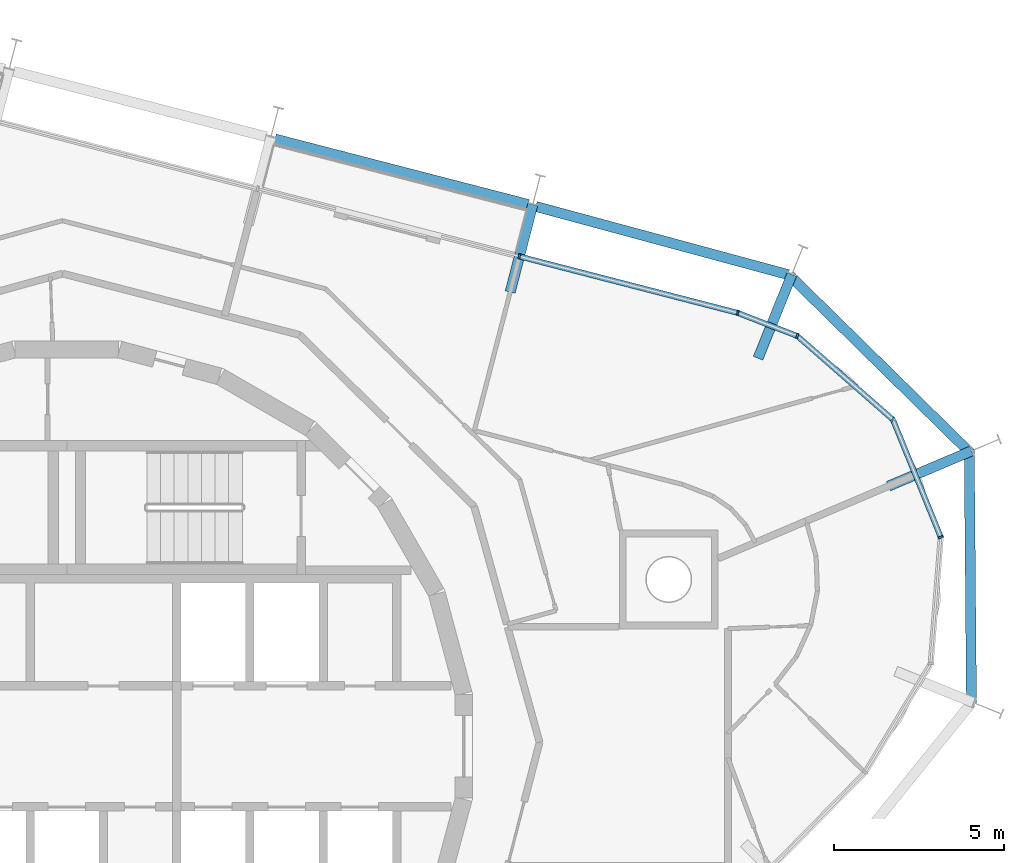
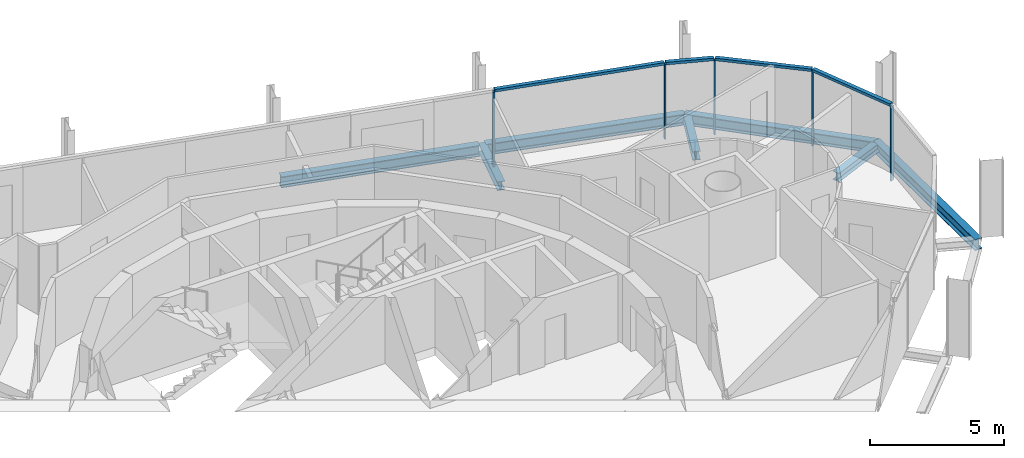
# One storey, part 7 of 16: 9 members, 7 beams, 2 elements without a shape of their own.
"""IFC4 building model written with IfcOpenShell, lengths in metres."""

from ifc_helpers import new_model, si_unit, direction, frame, origin, origin_2d, place, context, subcontext, project, spatial, rectangle, i_section, extrude, material, layer, layer_set, material_profile, profile_set, type_object, element, aggregate, save


model = new_model("IFC4")

# Units and contexts
model_context = context("Model", 3, precision=1e-05, world=origin(), true_north=direction((0.0, 1.0)))
body_context = subcontext(model_context, "Body", "Model", "MODEL_VIEW")
ifc_project = project(units=[si_unit("LENGTHUNIT", "METRE"), si_unit("AREAUNIT", "SQUARE_METRE"), si_unit("VOLUMEUNIT", "CUBIC_METRE"), si_unit("PLANEANGLEUNIT", "RADIAN"), si_unit("MASSUNIT", "GRAM", prefix="KILO")], contexts=[model_context])

# Site, building, storey
site_placement = place(None, origin())
site = spatial("IfcSite", under=ifc_project, at=site_placement, CompositionType="ELEMENT")
building_placement = place(site_placement, origin())
building = spatial("IfcBuilding", under=site, at=building_placement, Name="Spindle Arch Residences", CompositionType="ELEMENT")
storey_placement = place(building_placement, frame((0.0, 0.0, 301.699951171875)))
storey = spatial("IfcBuildingStorey", under=building, at=storey_placement, Name="L77", CompositionType="ELEMENT", Elevation=301.699951171875)

# Curtain wall, members
ifc_material_1 = material(Name="Aluminium bronze unitised frame with tinted glass", Category="aluminium")
ifc_layer_1 = layer(ifc_material_1, 0.159912109375)
ifc_layer_set_1 = layer_set([ifc_layer_1], Name="CW-D corner wall on the fillet arcs")
curtain_wall_type_1 = type_object("IfcCurtainWallType", Name="CW-D corner wall on the fillet arcs", PredefinedType="NOTDEFINED", material=ifc_layer_set_1)
curtain_wall_1_placement = place(storey_placement, origin())
curtain_wall_1 = element("IfcCurtainWall", 1, at=curtain_wall_1_placement, inside=storey, type_object=curtain_wall_type_1, Name="CW-D L77 run 1", PredefinedType="NOTDEFINED")
ifc_material_2 = material(Name="Aluminium bronze anodised mullion", Category="aluminium")
ifc_material_profile_1 = material_profile(ifc_material_2, rectangle(XDim=0.159912109375, YDim=0.06005859375, at=origin_2d()), Name="MU 60x160")
ifc_profile_set_1 = profile_set([ifc_material_profile_1], Name="Aluminium bronze anodised mullion")
member_type_1 = type_object("IfcMemberType", Name="Bronze mullion 60x160", PredefinedType="MULLION", material=ifc_profile_set_1)
member_1_placement = place(storey_placement, frame((25.646728515625, 6.13916015625, -0.3798828125), z_axis=(0.0, 0.0, 1.0), x_axis=(-0.926090247396, -0.377302072189, 0.0)))
member_1 = element("IfcMember", 2, at=member_1_placement, type_object=member_type_1, Name="CW-D mullion 03", PredefinedType="MULLION", context=body_context, shape_type="SweptSolid", body=[
    extrude(rectangle(XDim=0.159912109375, YDim=0.06005859375, at=origin_2d()), origin(), (0.0, 0.0, 1.0), 3.3798828125),
])
member_2_placement = place(storey_placement, frame((24.24072265625, 9.59033203125, -0.3798828125), z_axis=(0.0, 0.0, 1.0), x_axis=(-0.658251611308, -0.752797991635, 0.0)))
member_2 = element("IfcMember", 3, at=member_2_placement, type_object=member_type_1, Name="CW-D mullion 04", PredefinedType="MULLION", context=body_context, shape_type="SweptSolid", body=[
    extrude(rectangle(XDim=0.159912109375, YDim=0.06005859375, at=origin_2d()), origin(), (0.0, 0.0, 1.0), 3.3798828125),
])
member_3_placement = place(storey_placement, frame((21.435302734375, 12.04345703125, -0.3798828125), z_axis=(0.0, 0.0, 1.0), x_axis=(-0.361082099353, -0.932534030225, 0.0)))
member_3 = element("IfcMember", 4, at=member_3_placement, type_object=member_type_1, Name="CW-D mullion 05", PredefinedType="MULLION", context=body_context, shape_type="SweptSolid", body=[
    extrude(rectangle(XDim=0.159912109375, YDim=0.06005859375, at=origin_2d()), origin(), (0.0, 0.0, 1.0), 3.3798828125),
])
member_4_placement = place(storey_placement, frame((19.685791015625, 12.720947265625, -0.3798828125), z_axis=(0.0, 0.0, 1.0), x_axis=(-0.250380004054, -0.968147640378, 0.0)))
member_4 = element("IfcMember", 5, at=member_4_placement, type_object=member_type_1, Name="CW-D mullion 06", PredefinedType="MULLION", context=body_context, shape_type="SweptSolid", body=[
    extrude(rectangle(XDim=0.159912109375, YDim=0.06005859375, at=origin_2d()), origin(), (0.0, 0.0, 1.0), 3.3798828125),
])

# Curtain wall, member
ifc_material_3 = material(Name="Aluminium bronze unitised frame with tinted glass", Category="aluminium")
ifc_layer_2 = layer(ifc_material_3, 0.159912109375)
ifc_layer_set_2 = layer_set([ifc_layer_2], Name="CW-C typical residential unitised wall")
curtain_wall_type_2 = type_object("IfcCurtainWallType", Name="CW-C typical residential unitised wall", PredefinedType="NOTDEFINED", material=ifc_layer_set_2)
curtain_wall_2_placement = place(storey_placement, origin())
curtain_wall_2 = element("IfcCurtainWall", 6, at=curtain_wall_2_placement, inside=storey, type_object=curtain_wall_type_2, Name="CW-C L77 run 2", PredefinedType="NOTDEFINED")
member_5_placement = place(storey_placement, frame((13.280517578125, 14.37744140625, -0.3798828125), z_axis=(0.0, 0.0, 1.0), x_axis=(-0.250380004054, -0.968147640378, 0.0)))
member_5 = element("IfcMember", 7, at=member_5_placement, type_object=member_type_1, Name="CW-C mullion 05", PredefinedType="MULLION", context=body_context, shape_type="SweptSolid", body=[
    extrude(rectangle(XDim=0.159912109375, YDim=0.06005859375, at=origin_2d()), origin(), (0.0, 0.0, 1.0), 3.3798828125),
])
aggregate(curtain_wall_2, [member_5])

# Member
ifc_material_4 = material(Name="Aluminium bronze anodised transom", Category="aluminium")
ifc_material_profile_2 = material_profile(ifc_material_4, rectangle(XDim=0.159912109375, YDim=0.1201171875, at=origin_2d()), Name="TR 120x160")
ifc_profile_set_2 = profile_set([ifc_material_profile_2], Name="Aluminium bronze anodised transom")
member_type_2 = type_object("IfcMemberType", Name="Bronze transom 120x160", PredefinedType="USERDEFINED", material=ifc_profile_set_2)
member_6_placement = place(storey_placement, frame((25.635498046875, 6.166748046875, 3.06005859375), z_axis=(-0.377318036671, 0.926083743083, 0.0), x_axis=(-0.926083743083, -0.377318036671, 0.0)))
member_6 = element("IfcMember", 8, at=member_6_placement, type_object=member_type_2, Name="CW-D transom 03", ObjectType="TRANSOM", PredefinedType="USERDEFINED", context=body_context, shape_type="SweptSolid", body=[
    extrude(rectangle(XDim=0.159912109375, YDim=0.1201171875, at=origin_2d()), origin(), (0.0, 0.0, 1.0), 3.666748046875),
])

member_7_placement = place(storey_placement, frame((24.218017578125, 9.610107421875, 3.06005859375), z_axis=(-0.752799384177, 0.658250018749, 0.0), x_axis=(-0.658250018749, -0.752799384177, 0.0)))
member_7 = element("IfcMember", 9, at=member_7_placement, type_object=member_type_2, Name="CW-D transom 04", ObjectType="TRANSOM", PredefinedType="USERDEFINED", context=body_context, shape_type="SweptSolid", body=[
    extrude(rectangle(XDim=0.159912109375, YDim=0.1201171875, at=origin_2d()), origin(), (0.0, 0.0, 1.0), 3.666748046875),
])

member_8_placement = place(storey_placement, frame((21.4072265625, 12.054443359375, 3.06005859375), z_axis=(-0.932581237084, 0.360960158796, 0.0), x_axis=(-0.360960158796, -0.932581237084, 0.0)))
member_8 = element("IfcMember", 10, at=member_8_placement, type_object=member_type_2, Name="CW-D transom 05", ObjectType="TRANSOM", PredefinedType="USERDEFINED", context=body_context, shape_type="SweptSolid", body=[
    extrude(rectangle(XDim=0.159912109375, YDim=0.1201171875, at=origin_2d()), origin(), (0.0, 0.0, 1.0), 1.81591796875),
])

member_9_placement = place(storey_placement, frame((19.65673828125, 12.728515625, 3.06005859375), z_axis=(-0.968152514415, 0.250361156797, 0.0), x_axis=(-0.250361156797, -0.968152514415, 0.0)))
member_9 = element("IfcMember", 11, at=member_9_placement, type_object=member_type_2, Name="CW-D transom 06", ObjectType="TRANSOM", PredefinedType="USERDEFINED", context=body_context, shape_type="SweptSolid", body=[
    extrude(rectangle(XDim=0.159912109375, YDim=0.1201171875, at=origin_2d()), origin(), (0.0, 0.0, 1.0), 6.555908203125),
])

aggregate(curtain_wall_1, [member_1, member_6, member_2, member_7, member_3, member_8, member_4, member_9])

# Beams
ifc_material_5 = material(Name="Steel S460ML, intumescent coating R 120", Category="steel")
ifc_material_profile_3 = material_profile(ifc_material_5, i_section(OverallWidth=0.300048828125, OverallDepth=0.5, WebThickness=0.014404296875, FlangeThickness=0.028076171875, FilletRadius=0.027099609375, at=origin_2d()), Name="HEB 500")
ifc_profile_set_3 = profile_set([ifc_material_profile_3], Name="Steel S460ML, intumescent coating R 120")
beam_type_1 = type_object("IfcBeamType", Name="Exoskeleton edge beam HEB 500", PredefinedType="BEAM", material=ifc_profile_set_3)
for number, where, z_axis, x_axis, name in (
    (12, (26.54541015625, 1.238525390625, -0.6298828125), (-0.008657825592, 0.999962520326, 0.0), (-0.999962520326, -0.008657825592, 0.0), "Exoskeleton edge beam 3"),
    (13, (26.530517578125, 8.59375, -0.6298828125), (-0.713367950358, 0.700789674155, 0.0), (-0.700789674155, -0.713367950358, 0.0), "Exoskeleton edge beam 4"),
):
    element("IfcBeam", number, at=place(storey_placement, frame(where, z_axis=z_axis, x_axis=x_axis)), inside=storey, type_object=beam_type_1, Name=name, PredefinedType="BEAM", context=body_context, shape_type="SweptSolid", body=[
        extrude(i_section(OverallWidth=0.300048828125, OverallDepth=0.5, WebThickness=0.014404296875, FlangeThickness=0.028076171875, FilletRadius=0.027099609375, at=origin_2d()), origin(), (0.0, 0.0, 1.0), 7.47265625),
    ])
beam_1_placement = place(storey_placement, frame((21.16748046875, 13.842041015625, -0.6298828125), z_axis=(-0.965376606597, 0.260860130024, 0.0), x_axis=(-0.260860130024, -0.965376606597, 0.0)))
element("IfcBeam", 14, at=beam_1_placement, inside=storey, type_object=beam_type_1, Name="Exoskeleton edge beam 5", PredefinedType="BEAM", context=body_context, shape_type="SweptSolid", body=[
    extrude(i_section(OverallWidth=0.300048828125, OverallDepth=0.5, WebThickness=0.014404296875, FlangeThickness=0.028076171875, FilletRadius=0.027099609375, at=origin_2d()), origin(), (0.0, 0.0, 1.0), 7.671630859375),
])
beam_2_placement = place(storey_placement, frame((13.540283203125, 15.90087890625, -0.6298828125), z_axis=(-0.968149836341, 0.250371512743, 0.0), x_axis=(-0.250371512743, -0.968149836341, 0.0)))
element("IfcBeam", 15, at=beam_2_placement, inside=storey, type_object=beam_type_1, Name="Exoskeleton edge beam 6", PredefinedType="BEAM", context=body_context, shape_type="SweptSolid", body=[
    extrude(i_section(OverallWidth=0.300048828125, OverallDepth=0.5, WebThickness=0.014404296875, FlangeThickness=0.028076171875, FilletRadius=0.027099609375, at=origin_2d()), origin(), (0.0, 0.0, 1.0), 7.675048828125),
])
ifc_material_6 = material(Name="Steel S460ML, intumescent coating R 120", Category="steel")
ifc_material_profile_4 = material_profile(ifc_material_6, i_section(OverallWidth=0.300048828125, OverallDepth=0.389892578125, WebThickness=0.010986328125, FlangeThickness=0.01904296875, FilletRadius=0.027099609375, at=origin_2d()), Name="HEA 400")
ifc_profile_set_4 = profile_set([ifc_material_profile_4], Name="Steel S460ML, intumescent coating R 120")
beam_type_2 = type_object("IfcBeamType", Name="Floor outrigger HEA 400", PredefinedType="BEAM", material=ifc_profile_set_4)
for number, where, z_axis, x_axis, name in (
    (16, (26.54541015625, 8.669189453125, -0.574951171875), (-0.920502463847, -0.390736758, 0.0), (0.390736758, -0.920502463847, 0.0), "Floor outrigger 4"),
    (17, (21.27490234375, 13.8466796875, -0.574951171875), (-0.374327471234, -0.927296578382, 0.0), (0.927296578382, -0.374327471234, 0.0), "Floor outrigger 5"),
):
    element("IfcBeam", number, at=place(storey_placement, frame(where, z_axis=z_axis, x_axis=x_axis)), inside=storey, type_object=beam_type_2, Name=name, PredefinedType="BEAM", context=body_context, shape_type="SweptSolid", body=[
        extrude(i_section(OverallWidth=0.300048828125, OverallDepth=0.389892578125, WebThickness=0.010986328125, FlangeThickness=0.01904296875, FilletRadius=0.027099609375, at=origin_2d()), origin(), (0.0, 0.0, 1.0), 2.64990234375),
    ])
beam_3_placement = place(storey_placement, frame((13.673583984375, 15.8974609375, -0.574951171875), z_axis=(-0.250396221036, -0.968143446237, 0.0), x_axis=(0.968143446237, -0.250396221036, 0.0)))
element("IfcBeam", 18, at=beam_3_placement, inside=storey, type_object=beam_type_2, Name="Floor outrigger 6", PredefinedType="BEAM", context=body_context, shape_type="SweptSolid", body=[
    extrude(i_section(OverallWidth=0.300048828125, OverallDepth=0.389892578125, WebThickness=0.010986328125, FlangeThickness=0.01904296875, FilletRadius=0.027099609375, at=origin_2d()), origin(), (0.0, 0.0, 1.0), 2.650146484375),
])

save(model, "model.ifc")
